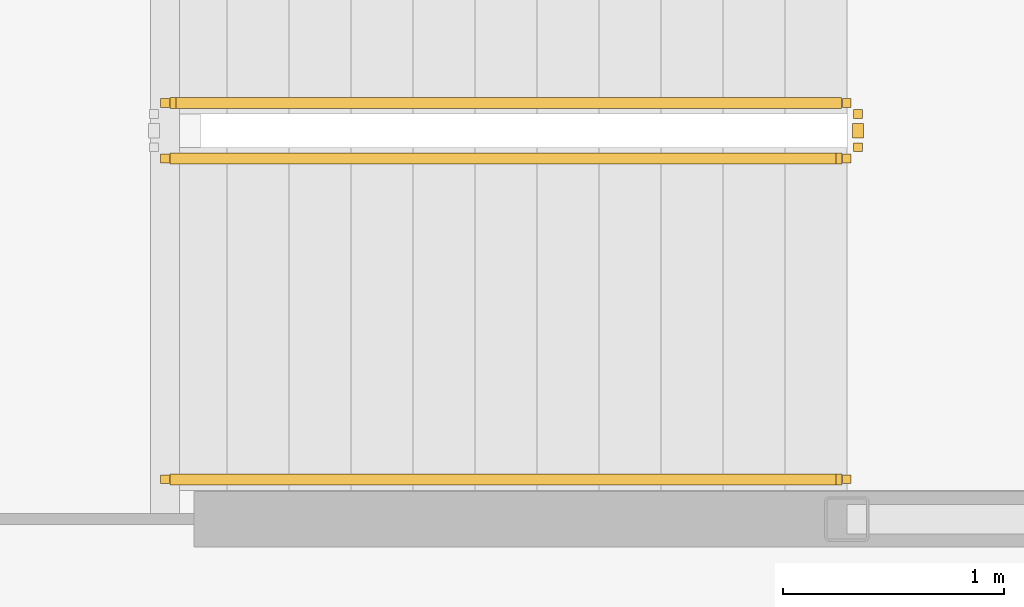
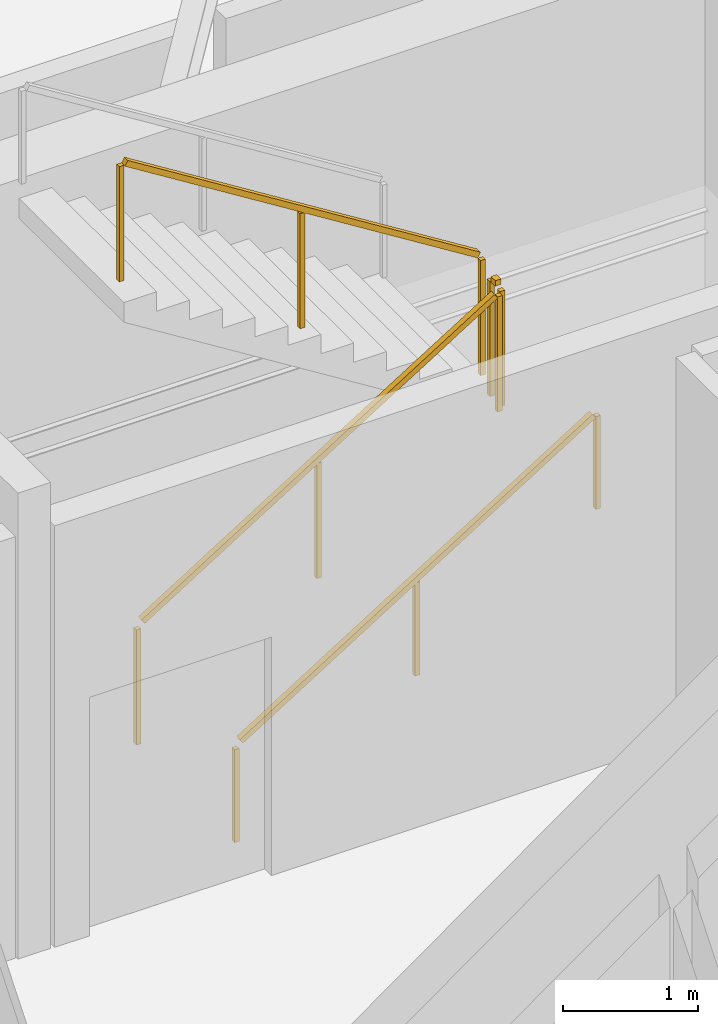
# One storey, part 20 of 21: 4 railings.
"""IFC4 building model written with IfcOpenShell, lengths in metres."""

from ifc_helpers import new_model, si_unit, direction, frame, origin, origin_2d, place, context, subcontext, project, spatial, rectangle, extrude, material, type_object, element, save


model = new_model("IFC4")

# Units and contexts
model_context = context("Model", 3, precision=1e-05, world=origin(), true_north=direction((0.0, 1.0)))
body_context = subcontext(model_context, "Body", "Model", "MODEL_VIEW")
ifc_project = project(units=[si_unit("LENGTHUNIT", "METRE"), si_unit("AREAUNIT", "SQUARE_METRE"), si_unit("VOLUMEUNIT", "CUBIC_METRE"), si_unit("PLANEANGLEUNIT", "RADIAN"), si_unit("MASSUNIT", "GRAM", prefix="KILO")], contexts=[model_context])

# Site, building, storey
site_placement = place(None, origin())
site = spatial("IfcSite", under=ifc_project, at=site_placement, CompositionType="ELEMENT")
building_placement = place(site_placement, origin())
building = spatial("IfcBuilding", under=site, at=building_placement, Name="Kazma Halo Residences", CompositionType="ELEMENT")
storey_placement = place(building_placement, frame((0.0, 0.0, 338.89990234375)))
storey = spatial("IfcBuildingStorey", under=building, at=storey_placement, Name="L85", CompositionType="ELEMENT", Elevation=338.89990234375)

# Railings
ifc_material_1 = material(Name="Painted Steel S355", Category="steel")
railing_type_1 = type_object("IfcRailingType", Name="RLG-STAIR-GRD-1100", PredefinedType="GUARDRAIL", material=ifc_material_1)
railing_1_placement = place(storey_placement, frame((53.199951171875, 48.25, 0.175048828125)))
element("IfcRailing", 1, at=railing_1_placement, inside=storey, type_object=railing_type_1, Name="L85 ST-02 stair guard 1", PredefinedType="GUARDRAIL", context=body_context, shape_type="SweptSolid", body=[
    extrude(rectangle(XDim=0.050048828125, YDim=0.050048828125, at=origin_2d()), frame((0.0361328125, 0.0, 1.09765625), z_axis=(0.847998304005, 0.0, 0.529998940003), x_axis=(0.0, 1.0, 0.0)), (0.0, 0.0, 1.0), 3.547119140625),
    extrude(rectangle(XDim=0.0400390625, YDim=0.0400390625, at=origin_2d()), origin(), (0.0, 0.0, 1.0), 1.0380859375),
    extrude(rectangle(XDim=0.0400390625, YDim=0.0400390625, at=origin_2d()), frame((1.5400390625, 0.0, 0.96240234375)), (0.0, 0.0, 1.0), 1.0380859375),
    extrude(rectangle(XDim=0.0400390625, YDim=0.0400390625, at=origin_2d()), frame((3.080078125, 0.0, 1.925048828125)), (0.0, 0.0, 1.0), 1.0380859375),
])
railing_2_placement = place(storey_placement, frame((56.330078125, 48.300048828125, 2.10009765625)))
element("IfcRailing", 2, at=railing_2_placement, inside=storey, type_object=railing_type_1, Name="L85 ST-02 stair guard 2", PredefinedType="GUARDRAIL", context=body_context, shape_type="SweptSolid", body=[
    extrude(rectangle(XDim=0.050048828125, YDim=0.050048828125, at=origin_2d()), frame((0.0, 0.04248046875, 1.0751953125), z_axis=(0.0, 1.0, 0.0), x_axis=(-1.0, 0.0, 0.0)), (0.0, 0.0, 1.0), 0.06494140625),
    extrude(rectangle(XDim=0.0400390625, YDim=0.0400390625, at=origin_2d()), origin(), (0.0, 0.0, 1.0), 1.0380859375),
    extrude(rectangle(XDim=0.0400390625, YDim=0.0400390625, at=origin_2d()), frame((0.0, 0.14990234375, 0.0)), (0.0, 0.0, 1.0), 1.0380859375),
])
railing_3_placement = place(storey_placement, frame((56.280029296875, 48.5, 2.275146484375)))
element("IfcRailing", 3, at=railing_3_placement, inside=storey, type_object=railing_type_1, Name="L85 ST-02 stair guard 3", PredefinedType="GUARDRAIL", context=body_context, shape_type="SweptSolid", body=[
    extrude(rectangle(XDim=0.050048828125, YDim=0.050048828125, at=origin_2d()), frame((-0.0361328125, 0.0, 1.09765625), z_axis=(-0.847998304005, 0.0, 0.529998940003), x_axis=(0.0, -1.0, 0.0)), (0.0, 0.0, 1.0), 3.547119140625),
    extrude(rectangle(XDim=0.0400390625, YDim=0.0400390625, at=origin_2d()), origin(), (0.0, 0.0, 1.0), 1.0380859375),
    extrude(rectangle(XDim=0.0400390625, YDim=0.0400390625, at=origin_2d()), frame((-1.5400390625, 0.0, 0.96240234375)), (0.0, 0.0, 1.0), 1.0380859375),
    extrude(rectangle(XDim=0.0400390625, YDim=0.0400390625, at=origin_2d()), frame((-3.080078125, 0.0, 1.925048828125)), (0.0, 0.0, 1.0), 1.0380859375),
])
ifc_material_2 = material(Name="Brushed Stainless Steel", Category="steel")
railing_type_2 = type_object("IfcRailingType", Name="RLG-STAIR-HND-900", PredefinedType="HANDRAIL", material=ifc_material_2)
railing_4_placement = place(storey_placement, frame((53.199951171875, 46.800048828125, 0.175048828125)))
element("IfcRailing", 4, at=railing_4_placement, inside=storey, type_object=railing_type_2, Name="L85 ST-02 stair handrail 1", PredefinedType="HANDRAIL", context=body_context, shape_type="SweptSolid", body=[
    extrude(rectangle(XDim=0.050048828125, YDim=0.050048828125, at=origin_2d()), frame((0.0361328125, 0.0, 0.8974609375), z_axis=(0.847998304005, 0.0, 0.529998940003), x_axis=(0.0, 1.0, 0.0)), (0.0, 0.0, 1.0), 3.547119140625),
    extrude(rectangle(XDim=0.0400390625, YDim=0.0400390625, at=origin_2d()), origin(), (0.0, 0.0, 1.0), 0.837890625),
    extrude(rectangle(XDim=0.0400390625, YDim=0.0400390625, at=origin_2d()), frame((1.5400390625, 0.0, 0.96240234375)), (0.0, 0.0, 1.0), 0.837890625),
    extrude(rectangle(XDim=0.0400390625, YDim=0.0400390625, at=origin_2d()), frame((3.080078125, 0.0, 1.925048828125)), (0.0, 0.0, 1.0), 0.837890625),
])

save(model, "model.ifc")
